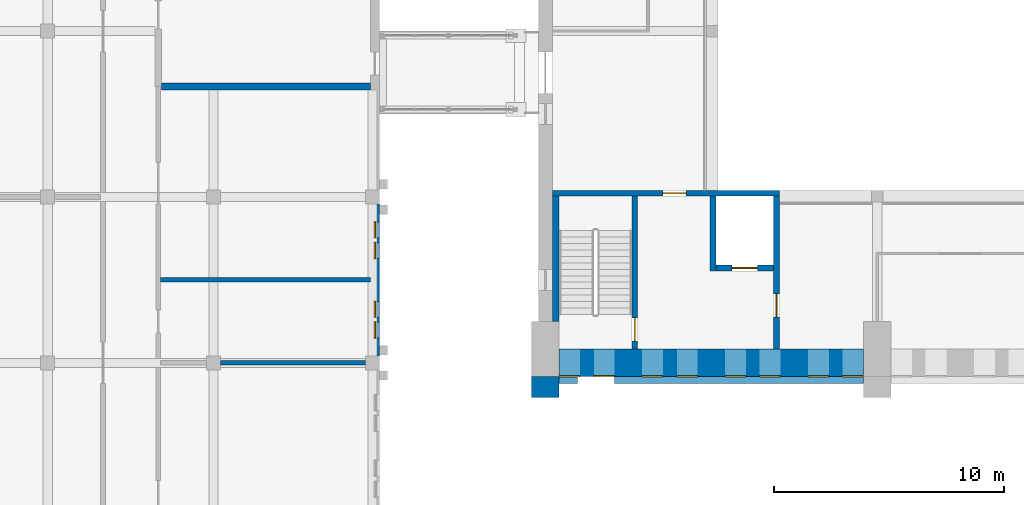
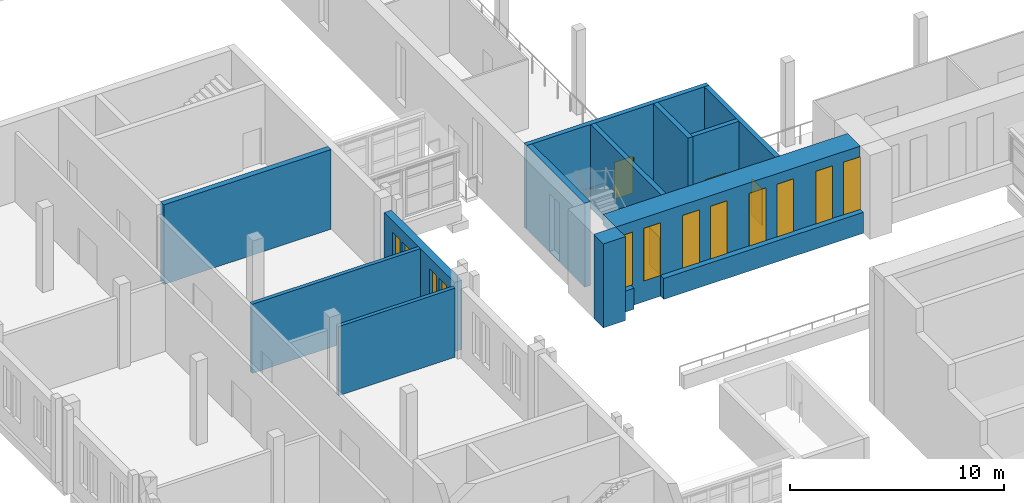
# One storey, part 77 of 131: 14 walls, 12 windows, 4 doors, 16 openings.
"""IFC4 building model written with IfcOpenShell, lengths in metres."""

import ifcopenshell
import ifcopenshell.guid

model = None  # the IFC model being written
_history = None  # IfcOwnerHistory: only IFC2X3 demands one
_inside = {}  # id of a spatial element -> (the spatial element, [elements in it])
_under = {}  # id of a project, library or spatial element -> (it, [spatial elements below it])
_declared = {}  # id of a project -> (the project, [libraries it declares])
_typed = {}  # id of a type object -> (the type object, [elements of that type])
_made_of = {}  # id of a material, layer set ... -> (it, [elements and type objects made of it])


def new_model(schema):
    """Start an empty IFC model of exactly this schema.

    Asked for "IFC4X3", IfcOpenShell would pick the latest addendum, in which some entities
    have other attributes; the version numbers below select the first issue.
    IFC2X3 requires an IfcOwnerHistory on every rooted entity: one is made here for all.
    """
    global model, _history
    if schema == "IFC4X3":
        model = ifcopenshell.file(schema_version=(4, 3, 0, 0))
    else:
        model = ifcopenshell.file(schema=schema)
    _inside.clear()
    _under.clear()
    _declared.clear()
    _typed.clear()
    _made_of.clear()
    _history = None
    if model.schema == "IFC2X3":
        org = make("IfcOrganization", Name="unknown")
        user = make(
            "IfcPersonAndOrganization",
            ThePerson=make("IfcPerson", FamilyName="unknown"),
            TheOrganization=org,
        )
        app = make(
            "IfcApplication",
            ApplicationDeveloper=org,
            Version="unknown",
            ApplicationFullName="unknown",
            ApplicationIdentifier="unknown",
        )
        _history = make(
            "IfcOwnerHistory",
            OwningUser=user,
            OwningApplication=app,
            ChangeAction="ADDED",
            CreationDate=0,
        )
    return model


def make(cls, **values):
    """One entity of the class cls with the attributes given. An attribute that is None is left unset."""
    return model.create_entity(
        cls, **{name: value for name, value in values.items() if value is not None}
    )


def rooted(cls, **values):
    """An entity with a GlobalId (a new one), such as an element, a storey or a relation."""
    return make(cls, GlobalId=ifcopenshell.guid.new(), OwnerHistory=_history, **values)


def si_unit(unit_type, name, prefix=None):
    """IfcSIUnit, for example si_unit("LENGTHUNIT", "METRE", prefix="MILLI")."""
    return make("IfcSIUnit", UnitType=unit_type, Prefix=prefix, Name=name)


def assignment(units):
    """IfcUnitAssignment: the units of a project."""
    return None if units is None else make("IfcUnitAssignment", Units=units)


def point(xyz):
    """IfcCartesianPoint."""
    return None if xyz is None else make("IfcCartesianPoint", Coordinates=xyz)


def direction(xyz):
    """IfcDirection."""
    return None if xyz is None else make("IfcDirection", DirectionRatios=xyz)


def frame(location, z_axis=None, x_axis=None):
    """IfcAxis2Placement3D, a coordinate frame: its origin and axes. An axis left out is left unset."""
    return make(
        "IfcAxis2Placement3D",
        Location=point(location),
        Axis=direction(z_axis),
        RefDirection=direction(x_axis),
    )


def frame_2d(location, x_axis=None):
    """IfcAxis2Placement2D, a coordinate frame in the plane: its origin and x axis."""
    return make(
        "IfcAxis2Placement2D", Location=point(location), RefDirection=direction(x_axis)
    )


def origin():
    """The frame at (0, 0, 0) with its axes left unset."""
    return frame((0.0, 0.0, 0.0))


def place(relative_to, where):
    """IfcLocalPlacement: puts the frame where relative to a parent placement (None: the world)."""
    return make(
        "IfcLocalPlacement", PlacementRelTo=relative_to, RelativePlacement=where
    )


def context(
    kind, dimensions, precision=None, world=None, true_north=None, identifier=None
):
    """IfcGeometricRepresentationContext, for example the 3D "Model" context."""
    return make(
        "IfcGeometricRepresentationContext",
        ContextIdentifier=identifier,
        ContextType=kind,
        CoordinateSpaceDimension=dimensions,
        Precision=precision,
        WorldCoordinateSystem=world,
        TrueNorth=true_north,
    )


def subcontext(parent, identifier, kind, view, scale=None):
    """IfcGeometricRepresentationSubContext, for example "Body" below "Model"."""
    return make(
        "IfcGeometricRepresentationSubContext",
        ContextIdentifier=identifier,
        ContextType=kind,
        ParentContext=parent,
        TargetScale=scale,
        TargetView=view,
    )


def project(units=None, contexts=None):
    """IfcProject with its units and contexts."""
    return rooted(
        "IfcProject",
        Name="project",
        RepresentationContexts=contexts,
        UnitsInContext=assignment(units),
    )


def spatial(cls, under=None, at=None, **own):
    """A site, building, storey or space (cls), placed at a placement, below another one or the project."""
    s = rooted(cls, ObjectPlacement=at, **own)
    if under is not None:
        _under.setdefault(under.id(), (under, []))[1].append(s)
    return s


def profile(cls, at=None, kind="AREA", **sizes):
    """A parametric profile (cls). Its sizes go by their IFC names, for example OverallWidth=200.0."""
    return make(cls, ProfileType=kind, Position=at, **sizes)


def rectangle(**sizes):
    """IfcRectangleProfileDef."""
    return profile("IfcRectangleProfileDef", **sizes)


def extrude(swept, where, along, depth):
    """IfcExtrudedAreaSolid: the profile swept, set in the frame where, extruded along a direction by depth."""
    return make(
        "IfcExtrudedAreaSolid",
        SweptArea=swept,
        Position=where,
        ExtrudedDirection=direction(along),
        Depth=depth,
    )


def shape(context_of_items, identifier, shape_type, items):
    """IfcShapeRepresentation: the items that make up one representation, for example the "Body"."""
    return make(
        "IfcShapeRepresentation",
        ContextOfItems=context_of_items,
        RepresentationIdentifier=identifier,
        RepresentationType=shape_type,
        Items=items,
    )


def material(Name=None, Category=None):
    """IfcMaterial."""
    return make("IfcMaterial", Name=Name, Category=Category)


def layer(
    of_material, thickness, ventilated=None, Name=None, Category=None, Priority=None
):
    """IfcMaterialLayer: one layer of a wall or slab, of a material (None: an air gap)."""
    return make(
        "IfcMaterialLayer",
        Material=of_material,
        LayerThickness=thickness,
        IsVentilated=ventilated,
        Name=Name,
        Category=Category,
        Priority=Priority,
    )


def layer_set(layers, Name=None):
    """IfcMaterialLayerSet."""
    return make("IfcMaterialLayerSet", MaterialLayers=layers, LayerSetName=Name)


def made_of(thing, what):
    """Note that an element or type object is made of a material, layer set ...; save() writes the relation."""
    if what is not None:
        _made_of.setdefault(what.id(), (what, []))[1].append(thing)
    return thing


def type_object(cls, material=None, **own):
    """A type object (cls), such as IfcWallType, which elements share."""
    return made_of(rooted(cls, **own), material)


def element(
    cls,
    number,
    at=None,
    inside=None,
    cuts=None,
    type_object=None,
    material=None,
    context=None,
    identifier="Body",
    shape_type=None,
    held_by="IfcProductDefinitionShape",
    body=None,
    shapes=None,
    **own,
):
    """One element of the class cls, such as IfcWall. Its Tag is "e" and its number.

    at: its placement. inside: the storey or other place that contains it. cuts: it is an
    opening in that element (IfcRelVoidsElement). A single representation is given by context,
    identifier, shape_type and body (its items); several are given by shapes. held_by: the class
    of the entity that holds the representations. save() writes the other relations.
    """
    e = rooted(cls, Tag="e%d" % number, ObjectPlacement=at, **own)
    if body is not None:
        shapes = [shape(context, identifier, shape_type, body)]
    if shapes is not None:
        e.Representation = make(held_by, Representations=shapes)
    if inside is not None:
        _inside.setdefault(inside.id(), (inside, []))[1].append(e)
    if cuts is not None:
        rooted(
            "IfcRelVoidsElement", RelatingBuildingElement=cuts, RelatedOpeningElement=e
        )
    if type_object is not None:
        _typed.setdefault(type_object.id(), (type_object, []))[1].append(e)
    return made_of(e, material)


def fill(opening, filler):
    """IfcRelFillsElement: the door or window that sits in an opening."""
    return rooted(
        "IfcRelFillsElement",
        RelatingOpeningElement=opening,
        RelatedBuildingElement=filler,
    )


def aggregate(whole, parts):
    """IfcRelAggregates: a whole, such as a stair, and the parts it consists of."""
    return rooted("IfcRelAggregates", RelatingObject=whole, RelatedObjects=parts)


def save(model, path):
    """Write the relations noted so far, then the file.

    IfcRelAggregates (storeys below a building ...), IfcRelContainedInSpatialStructure (elements
    in a storey), IfcRelDefinesByType, IfcRelAssociatesMaterial and IfcRelDeclares: one each for
    every whole, place, type object, material and project.
    """
    for whole, parts in _under.values():
        aggregate(whole, parts)
    for where, things in _inside.values():
        rooted(
            "IfcRelContainedInSpatialStructure",
            RelatedElements=things,
            RelatingStructure=where,
        )
    for kind, things in _typed.values():
        rooted("IfcRelDefinesByType", RelatedObjects=things, RelatingType=kind)
    for what, things in _made_of.values():
        rooted("IfcRelAssociatesMaterial", RelatedObjects=things, RelatingMaterial=what)
    for by, libraries in _declared.values():
        rooted("IfcRelDeclares", RelatingContext=by, RelatedDefinitions=libraries)
    model.write(path)


model = new_model("IFC4")

# Units and contexts
model_context = context("Model", 3, precision=1e-05, world=origin(), true_north=direction((0.0, 1.0)))
body_context = subcontext(model_context, "Body", "Model", "MODEL_VIEW")
ifc_project = project(units=[si_unit("LENGTHUNIT", "METRE"), si_unit("AREAUNIT", "SQUARE_METRE"), si_unit("VOLUMEUNIT", "CUBIC_METRE"), si_unit("PLANEANGLEUNIT", "RADIAN"), si_unit("MASSUNIT", "GRAM", prefix="KILO")], contexts=[model_context])

# Site, building, storey
site_placement = place(None, origin())
site = spatial("IfcSite", under=ifc_project, at=site_placement, CompositionType="ELEMENT")
building_placement = place(site_placement, origin())
building = spatial("IfcBuilding", under=site, at=building_placement, Name="Alderwick Market Hall", CompositionType="ELEMENT")
storey_placement = place(building_placement, frame((0.0, 0.0, 4.800048828125)))
storey = spatial("IfcBuildingStorey", under=building, at=storey_placement, Name="L00", CompositionType="ELEMENT", Elevation=4.800048828125)

# Wall, openings, windows
ifc_material_1 = material(Name="Face brick", Category="masonry")
ifc_layer_1 = layer(ifc_material_1, 0.39990234375)
ifc_layer_set_1 = layer_set([ifc_layer_1], Name="Face brick")
wall_type_1 = type_object("IfcWallType", Name="B Brick Cavity Wall 400", PredefinedType="SOLIDWALL", material=ifc_layer_set_1)
wall_1_placement = place(storey_placement, frame((43.0, 50.699951171875, 0.0), z_axis=(0.0, 0.0, 1.0), x_axis=(0.0, 1.0, 0.0)))
wall_1 = element("IfcWall", 1, at=wall_1_placement, inside=storey, type_object=wall_type_1, Name="B.S.wall.L00.031", PredefinedType="SOLIDWALL", context=body_context, shape_type="SweptSolid", body=[
    extrude(rectangle(XDim=6.60009765625, YDim=0.39990234375, at=frame_2d((3.300048828125, 0.0))), origin(), (0.0, 0.0, 1.0), 3.949951171875),
])
opening_1_placement = place(wall_1_placement, frame((0.77490234375, 0.0, 0.89990234375)))
opening_1 = element("IfcOpeningElement", 2, at=opening_1_placement, cuts=wall_1, Name="Opening B-W110", PredefinedType="OPENING", context=body_context, shape_type="SweptSolid", body=[
    extrude(rectangle(XDim=0.699951171875, YDim=2.39990234375, at=frame_2d((0.35009765625, 1.199951171875))), frame((0.0, 0.2099609375, 0.0), z_axis=(0.0, -1.0, 0.0), x_axis=(1.0, 0.0, 0.0)), (0.0, 0.0, 1.0), 0.419921875),
])
opening_2_placement = place(wall_1_placement, frame((1.675048828125, 0.0, 0.89990234375)))
opening_2 = element("IfcOpeningElement", 3, at=opening_2_placement, cuts=wall_1, Name="Opening B-W111", PredefinedType="OPENING", context=body_context, shape_type="SweptSolid", body=[
    extrude(rectangle(XDim=0.699951171875, YDim=2.39990234375, at=frame_2d((0.35009765625, 1.199951171875))), frame((0.0, 0.2099609375, 0.0), z_axis=(0.0, -1.0, 0.0), x_axis=(1.0, 0.0, 0.0)), (0.0, 0.0, 1.0), 0.419921875),
])
opening_3_placement = place(wall_1_placement, frame((4.22509765625, 0.0, 0.89990234375)))
opening_3 = element("IfcOpeningElement", 4, at=opening_3_placement, cuts=wall_1, Name="Opening B-W112", PredefinedType="OPENING", context=body_context, shape_type="SweptSolid", body=[
    extrude(rectangle(XDim=0.699951171875, YDim=2.39990234375, at=frame_2d((0.35009765625, 1.199951171875))), frame((0.0, 0.2099609375, 0.0), z_axis=(0.0, -1.0, 0.0), x_axis=(1.0, 0.0, 0.0)), (0.0, 0.0, 1.0), 0.419921875),
])
opening_4_placement = place(wall_1_placement, frame((5.125, 0.0, 0.89990234375)))
opening_4 = element("IfcOpeningElement", 5, at=opening_4_placement, cuts=wall_1, Name="Opening B-W113", PredefinedType="OPENING", context=body_context, shape_type="SweptSolid", body=[
    extrude(rectangle(XDim=0.699951171875, YDim=2.39990234375, at=frame_2d((0.35009765625, 1.199951171875))), frame((0.0, 0.2099609375, 0.0), z_axis=(0.0, -1.0, 0.0), x_axis=(1.0, 0.0, 0.0)), (0.0, 0.0, 1.0), 0.419921875),
])
ifc_material_2 = material(Name="Aluminium frame", Category="aluminium")
window_type_1 = type_object("IfcWindowType", Name="B Piano Nobile Window 700x2400", PartitioningType="SINGLE_PANEL", PredefinedType="WINDOW", material=ifc_material_2)
window_1_placement = place(opening_1_placement, origin())
window_1 = element("IfcWindow", 6, at=window_1_placement, inside=storey, type_object=window_type_1, Name="Window B-W110", OverallHeight=2.39990234375, OverallWidth=0.699951171875, PartitioningType="SINGLE_PANEL", PredefinedType="WINDOW", context=body_context, shape_type="SweptSolid", body=[
    extrude(rectangle(XDim=0.699951171875, YDim=2.39990234375, at=frame_2d((0.35009765625, 1.199951171875))), frame((0.0, 0.030029296875, 0.0), z_axis=(0.0, -1.0, 0.0), x_axis=(1.0, 0.0, 0.0)), (0.0, 0.0, 1.0), 0.06005859375),
])
fill(opening_1, window_1)
window_2_placement = place(opening_2_placement, origin())
window_2 = element("IfcWindow", 7, at=window_2_placement, inside=storey, type_object=window_type_1, Name="Window B-W111", OverallHeight=2.39990234375, OverallWidth=0.699951171875, PartitioningType="SINGLE_PANEL", PredefinedType="WINDOW", context=body_context, shape_type="SweptSolid", body=[
    extrude(rectangle(XDim=0.699951171875, YDim=2.39990234375, at=frame_2d((0.35009765625, 1.199951171875))), frame((0.0, 0.030029296875, 0.0), z_axis=(0.0, -1.0, 0.0), x_axis=(1.0, 0.0, 0.0)), (0.0, 0.0, 1.0), 0.06005859375),
])
fill(opening_2, window_2)
window_3_placement = place(opening_3_placement, origin())
window_3 = element("IfcWindow", 8, at=window_3_placement, inside=storey, type_object=window_type_1, Name="Window B-W112", OverallHeight=2.39990234375, OverallWidth=0.699951171875, PartitioningType="SINGLE_PANEL", PredefinedType="WINDOW", context=body_context, shape_type="SweptSolid", body=[
    extrude(rectangle(XDim=0.699951171875, YDim=2.39990234375, at=frame_2d((0.35009765625, 1.199951171875))), frame((0.0, 0.030029296875, 0.0), z_axis=(0.0, -1.0, 0.0), x_axis=(1.0, 0.0, 0.0)), (0.0, 0.0, 1.0), 0.06005859375),
])
fill(opening_3, window_3)
window_4_placement = place(opening_4_placement, origin())
window_4 = element("IfcWindow", 9, at=window_4_placement, inside=storey, type_object=window_type_1, Name="Window B-W113", OverallHeight=2.39990234375, OverallWidth=0.699951171875, PartitioningType="SINGLE_PANEL", PredefinedType="WINDOW", context=body_context, shape_type="SweptSolid", body=[
    extrude(rectangle(XDim=0.699951171875, YDim=2.39990234375, at=frame_2d((0.35009765625, 1.199951171875))), frame((0.0, 0.030029296875, 0.0), z_axis=(0.0, -1.0, 0.0), x_axis=(1.0, 0.0, 0.0)), (0.0, 0.0, 1.0), 0.06005859375),
])
fill(opening_4, window_4)

# Walls
ifc_material_3 = material(Name="Concrete masonry 3000 psi", Category="masonry")
ifc_layer_2 = layer(ifc_material_3, 0.199951171875)
ifc_layer_set_2 = layer_set([ifc_layer_2], Name="Concrete masonry 3000 psi")
wall_type_2 = type_object("IfcWallType", Name="B Masonry Partition 200", PredefinedType="PARTITIONING", material=ifc_layer_set_2)
wall_2_placement = place(storey_placement, frame((36.300048828125, 50.39990234375, 0.0), z_axis=(0.0, 0.0, 1.0), x_axis=(1.0, 0.0, 0.0)))
element("IfcWall", 10, at=wall_2_placement, inside=storey, type_object=wall_type_2, Name="B.S.wall.L00.008", PredefinedType="PARTITIONING", context=body_context, shape_type="SweptSolid", body=[
    extrude(rectangle(XDim=6.300048828125, YDim=0.199951171875, at=frame_2d((3.14990234375, 0.0))), origin(), (0.0, 0.0, 1.0), 3.949951171875),
])
wall_3_placement = place(storey_placement, frame((33.699951171875, 54.0, 0.0), z_axis=(0.0, 0.0, 1.0), x_axis=(1.0, 0.0, 0.0)))
element("IfcWall", 11, at=wall_3_placement, inside=storey, type_object=wall_type_2, Name="B.S.wall.L00.009", PredefinedType="PARTITIONING", context=body_context, shape_type="SweptSolid", body=[
    extrude(rectangle(XDim=9.10009765625, YDim=0.199951171875, at=frame_2d((4.550048828125, 0.0))), origin(), (0.0, 0.0, 1.0), 3.949951171875),
])
ifc_material_4 = material(Name="Concrete 5000 psi (f'c 35 MPa)", Category="concrete")
ifc_layer_3 = layer(ifc_material_4, 0.300048828125)
ifc_layer_set_3 = layer_set([ifc_layer_3], Name="Concrete 5000 psi (f'c 35 MPa)")
wall_type_3 = type_object("IfcWallType", Name="B RC Core Wall 300", PredefinedType="SHEAR", material=ifc_layer_set_3)
wall_4_placement = place(storey_placement, frame((33.75, 62.39990234375, 0.0), z_axis=(0.0, 0.0, 1.0), x_axis=(1.0, 0.0, 0.0)))
element("IfcWall", 12, at=wall_4_placement, inside=storey, type_object=wall_type_3, Name="B.S.wall.L00.012", PredefinedType="SHEAR", context=body_context, shape_type="SweptSolid", body=[
    extrude(rectangle(XDim=9.050048828125, YDim=0.300048828125, at=frame_2d((4.52490234375, 0.0))), origin(), (0.0, 0.0, 1.0), 4.550048828125),
])
ifc_material_5 = material(Name="Cast stone 5000 psi (f'c 35 MPa), ASTM C1364", Category="masonry")
ifc_layer_4 = layer(ifc_material_5, 0.300048828125)
ifc_layer_set_4 = layer_set([ifc_layer_4], Name="Cast stone 5000 psi (f'c 35 MPa), ASTM C1364")
wall_type_4 = type_object("IfcWallType", Name="H Base course 300", PredefinedType="SOLIDWALL", material=ifc_layer_set_4)
wall_5_placement = place(storey_placement, frame((51.0, 49.64990234375, 0.0), z_axis=(0.0, 0.0, 1.0), x_axis=(1.0, 0.0, 0.0)))
element("IfcWall", 13, at=wall_5_placement, inside=storey, type_object=wall_type_4, Name="Base course S1", PredefinedType="SOLIDWALL", context=body_context, shape_type="SweptSolid", body=[
    extrude(rectangle(XDim=0.800048828125, YDim=0.300048828125, at=frame_2d((0.39990234375, 0.0))), origin(), (0.0, 0.0, 1.0), 1.199951171875),
])
wall_6_placement = place(storey_placement, frame((53.39990234375, 49.64990234375, 0.0), z_axis=(0.0, 0.0, 1.0), x_axis=(1.0, 0.0, 0.0)))
element("IfcWall", 14, at=wall_6_placement, inside=storey, type_object=wall_type_4, Name="Base course S1", PredefinedType="SOLIDWALL", context=body_context, shape_type="SweptSolid", body=[
    extrude(rectangle(XDim=10.800048828125, YDim=0.300048828125, at=frame_2d((5.39990234375, 0.0))), origin(), (0.0, 0.0, 1.0), 1.199951171875),
])
ifc_material_6 = material(Name="Face brick masonry, ASTM C216 grade SW (f'm 17 MPa)", Category="masonry")
ifc_layer_5 = layer(ifc_material_6, 0.89990234375)
ifc_layer_set_5 = layer_set([ifc_layer_5], Name="Face brick masonry, ASTM C216 grade SW (f'm 17 MPa)")
wall_type_5 = type_object("IfcWallType", Name="H Buttress pier 900", PredefinedType="SOLIDWALL", material=ifc_layer_set_5)
wall_7_placement = place(storey_placement, frame((49.800048828125, 49.35009765625, 0.0), z_axis=(0.0, 0.0, 1.0), x_axis=(1.0, 0.0, 0.0)))
element("IfcWall", 15, at=wall_7_placement, inside=storey, type_object=wall_type_5, Name="Buttress pier S1", PredefinedType="SOLIDWALL", context=body_context, shape_type="SweptSolid", body=[
    extrude(rectangle(XDim=1.199951171875, YDim=0.89990234375, at=frame_2d((0.60009765625, 0.0))), origin(), (0.0, 0.0, 1.0), 4.800048828125),
])

# Wall, opening, door
ifc_layer_6 = layer(ifc_material_4, 0.25)
ifc_layer_set_6 = layer_set([ifc_layer_6], Name="Concrete 5000 psi (f'c 35 MPa)")
wall_type_6 = type_object("IfcWallType", Name="H Core wall 250", PredefinedType="SOLIDWALL", material=ifc_layer_set_6)
wall_8_placement = place(storey_placement, frame((50.699951171875, 57.764892578125, 0.0), z_axis=(0.0, 0.0, 1.0), x_axis=(1.0, 0.0, 0.0)))
wall_8 = element("IfcWall", 16, at=wall_8_placement, inside=storey, type_object=wall_type_6, Name="Core wall H-SW", PredefinedType="SOLIDWALL", context=body_context, shape_type="SweptSolid", body=[
    extrude(rectangle(XDim=9.85009765625, YDim=0.25, at=frame_2d((4.925048828125, 0.0))), origin(), (0.0, 0.0, 1.0), 4.800048828125),
])
opening_5_placement = place(wall_8_placement, frame((4.800048828125, 0.0, 0.0)))
opening_5 = element("IfcOpeningElement", 17, at=opening_5_placement, cuts=wall_8, Name="Opening H-D021", PredefinedType="OPENING", context=body_context, shape_type="SweptSolid", body=[
    extrude(rectangle(XDim=1.0, YDim=2.10009765625, at=frame_2d((0.5, 1.050048828125))), frame((0.0, 0.135009765625, 0.0), z_axis=(0.0, -1.0, 0.0), x_axis=(1.0, 0.0, 0.0)), (0.0, 0.0, 1.0), 0.27001953125),
])
ifc_material_7 = material(Name="Steel, fire-rated", Category="steel")
door_type_1 = type_object("IfcDoorType", Name="H Stair door FD90 1000x2100", OperationType="SINGLE_SWING_LEFT", PredefinedType="DOOR", material=ifc_material_7)
door_1_placement = place(opening_5_placement, origin())
door_1 = element("IfcDoor", 18, at=door_1_placement, inside=storey, type_object=door_type_1, Name="Door H-D021", OperationType="SINGLE_SWING_LEFT", OverallHeight=2.10009765625, OverallWidth=1.0, PredefinedType="DOOR", context=body_context, shape_type="SweptSolid", body=[
    extrude(rectangle(XDim=1.0, YDim=2.10009765625, at=frame_2d((0.5, 1.050048828125))), frame((0.0, 0.02490234375, 0.0), z_axis=(0.0, -1.0, 0.0), x_axis=(1.0, 0.0, 0.0)), (0.0, 0.0, 1.0), 0.050048828125),
])
fill(opening_5, door_1)

wall_9_placement = place(storey_placement, frame((60.425048828125, 51.0, 0.0), z_axis=(0.0, 0.0, 1.0), x_axis=(0.0, 1.0, 0.0)))
wall_9 = element("IfcWall", 19, at=wall_9_placement, inside=storey, type_object=wall_type_6, Name="Core wall H-SW", PredefinedType="SOLIDWALL", context=body_context, shape_type="SweptSolid", body=[
    extrude(rectangle(XDim=6.639892578125, YDim=0.25, at=frame_2d((3.31982421875, 0.0))), origin(), (0.0, 0.0, 1.0), 4.800048828125),
])
opening_6_placement = place(wall_9_placement, frame((1.39990234375, 0.0, 0.0)))
opening_6 = element("IfcOpeningElement", 20, at=opening_6_placement, cuts=wall_9, Name="Opening H-D020", PredefinedType="OPENING", context=body_context, shape_type="SweptSolid", body=[
    extrude(rectangle(XDim=1.0, YDim=2.10009765625, at=frame_2d((0.5, 1.050048828125))), frame((0.0, 0.135009765625, 0.0), z_axis=(0.0, -1.0, 0.0), x_axis=(1.0, 0.0, 0.0)), (0.0, 0.0, 1.0), 0.27001953125),
])
door_2_placement = place(opening_6_placement, origin())
door_2 = element("IfcDoor", 21, at=door_2_placement, inside=storey, type_object=door_type_1, Name="Door H-D020", OperationType="SINGLE_SWING_LEFT", OverallHeight=2.10009765625, OverallWidth=1.0, PredefinedType="DOOR", context=body_context, shape_type="SweptSolid", body=[
    extrude(rectangle(XDim=1.0, YDim=2.10009765625, at=frame_2d((0.5, 1.050048828125))), frame((0.0, 0.02490234375, 0.0), z_axis=(0.0, -1.0, 0.0), x_axis=(1.0, 0.0, 0.0)), (0.0, 0.0, 1.0), 0.050048828125),
])
fill(opening_6, door_2)

wall_10_placement = place(storey_placement, frame((54.27490234375, 51.0, 0.0), z_axis=(0.0, 0.0, 1.0), x_axis=(0.0, 1.0, 0.0)))
wall_10 = element("IfcWall", 22, at=wall_10_placement, inside=storey, type_object=wall_type_6, Name="Core wall H-SW", PredefinedType="SOLIDWALL", context=body_context, shape_type="SweptSolid", body=[
    extrude(rectangle(XDim=6.639892578125, YDim=0.25, at=frame_2d((3.31982421875, 0.0))), origin(), (0.0, 0.0, 1.0), 4.800048828125),
])
opening_7_placement = place(wall_10_placement, frame((0.35009765625, 0.0, 0.0)))
opening_7 = element("IfcOpeningElement", 23, at=opening_7_placement, cuts=wall_10, Name="Opening H-D019", PredefinedType="OPENING", context=body_context, shape_type="SweptSolid", body=[
    extrude(rectangle(XDim=1.0, YDim=2.10009765625, at=frame_2d((0.5, 1.050048828125))), frame((0.0, 0.135009765625, 0.0), z_axis=(0.0, -1.0, 0.0), x_axis=(1.0, 0.0, 0.0)), (0.0, 0.0, 1.0), 0.27001953125),
])
door_3_placement = place(opening_7_placement, origin())
door_3 = element("IfcDoor", 24, at=door_3_placement, inside=storey, type_object=door_type_1, Name="Door H-D019", OperationType="SINGLE_SWING_LEFT", OverallHeight=2.10009765625, OverallWidth=1.0, PredefinedType="DOOR", context=body_context, shape_type="SweptSolid", body=[
    extrude(rectangle(XDim=1.0, YDim=2.10009765625, at=frame_2d((0.5, 1.050048828125))), frame((0.0, 0.02490234375, 0.0), z_axis=(0.0, -1.0, 0.0), x_axis=(1.0, 0.0, 0.0)), (0.0, 0.0, 1.0), 0.050048828125),
])
fill(opening_7, door_3)

# Wall
wall_11_placement = place(storey_placement, frame((57.675048828125, 54.389892578125, 0.0), z_axis=(0.0, 0.0, 1.0), x_axis=(0.0, 1.0, 0.0)))
element("IfcWall", 25, at=wall_11_placement, inside=storey, type_object=wall_type_6, Name="Core wall H-SW", PredefinedType="SOLIDWALL", context=body_context, shape_type="SweptSolid", body=[
    extrude(rectangle(XDim=3.25, YDim=0.25, at=frame_2d((1.625, 0.0))), origin(), (0.0, 0.0, 1.0), 4.800048828125),
])

# Wall, opening, door
wall_12_placement = place(storey_placement, frame((57.800048828125, 54.514892578125, 0.0), z_axis=(0.0, 0.0, 1.0), x_axis=(1.0, 0.0, 0.0)))
wall_12 = element("IfcWall", 26, at=wall_12_placement, inside=storey, type_object=wall_type_6, Name="Core wall H-SW", PredefinedType="SOLIDWALL", context=body_context, shape_type="SweptSolid", body=[
    extrude(rectangle(XDim=2.5, YDim=0.25, at=frame_2d((1.25, 0.0))), origin(), (0.0, 0.0, 1.0), 4.800048828125),
])
opening_8_placement = place(wall_12_placement, frame((0.699951171875, 0.0, 0.0)))
opening_8 = element("IfcOpeningElement", 27, at=opening_8_placement, cuts=wall_12, Name="Opening H-LD02", PredefinedType="OPENING", context=body_context, shape_type="SweptSolid", body=[
    extrude(rectangle(XDim=1.10009765625, YDim=2.10009765625, at=frame_2d((0.550048828125, 1.050048828125))), frame((0.0, 0.135009765625, 0.0), z_axis=(0.0, -1.0, 0.0), x_axis=(1.0, 0.0, 0.0)), (0.0, 0.0, 1.0), 0.27001953125),
])
ifc_material_8 = material(Name="Stainless steel", Category="steel")
door_type_2 = type_object("IfcDoorType", Name="H Lift landing door 1100x2100", OperationType="SLIDING_TO_LEFT", PredefinedType="DOOR", material=ifc_material_8)
door_4_placement = place(opening_8_placement, origin())
door_4 = element("IfcDoor", 28, at=door_4_placement, inside=storey, type_object=door_type_2, Name="Landing door H-LD02", OperationType="SLIDING_TO_LEFT", OverallHeight=2.10009765625, OverallWidth=1.10009765625, PredefinedType="DOOR", context=body_context, shape_type="SweptSolid", body=[
    extrude(rectangle(XDim=1.10009765625, YDim=2.10009765625, at=frame_2d((0.550048828125, 1.050048828125))), frame((0.0, 0.02490234375, 0.0), z_axis=(0.0, -1.0, 0.0), x_axis=(1.0, 0.0, 0.0)), (0.0, 0.0, 1.0), 0.050048828125),
])
fill(opening_8, door_4)

# Wall, openings, windows
ifc_layer_7 = layer(ifc_material_4, 1.199951171875)
ifc_layer_set_7 = layer_set([ifc_layer_7], Name="Concrete 5000 psi (f'c 35 MPa)")
wall_type_7 = type_object("IfcWallType", Name="H Long wall 1200", PredefinedType="SOLIDWALL", material=ifc_layer_set_7)
wall_13_placement = place(storey_placement, frame((51.0, 50.39990234375, 0.0), z_axis=(0.0, 0.0, 1.0), x_axis=(1.0, 0.0, 0.0)))
wall_13 = element("IfcWall", 29, at=wall_13_placement, inside=storey, type_object=wall_type_7, Name="Long wall S L00 1", PredefinedType="SOLIDWALL", context=body_context, shape_type="SweptSolid", body=[
    extrude(rectangle(XDim=13.199951171875, YDim=1.199951171875, at=frame_2d((6.60009765625, 0.0))), origin(), (0.0, 0.0, 1.0), 4.800048828125),
])
opening_9_placement = place(wall_13_placement, frame((0.0, 0.0, 1.199951171875)))
opening_9 = element("IfcOpeningElement", 30, at=opening_9_placement, cuts=wall_13, Name="Opening H-W001", PredefinedType="OPENING", context=body_context, shape_type="SweptSolid", body=[
    extrude(rectangle(XDim=0.89990234375, YDim=3.0, at=frame_2d((0.449951171875, 1.5))), frame((0.0, 0.60986328125, 0.0), z_axis=(0.0, -1.0, 0.0), x_axis=(1.0, 0.0, 0.0)), (0.0, 0.0, 1.0), 1.219970703125),
])
opening_10_placement = place(wall_13_placement, frame((1.5, 0.0, 1.199951171875)))
opening_10 = element("IfcOpeningElement", 31, at=opening_10_placement, cuts=wall_13, Name="Opening H-W002", PredefinedType="OPENING", context=body_context, shape_type="SweptSolid", body=[
    extrude(rectangle(XDim=0.89990234375, YDim=3.0, at=frame_2d((0.449951171875, 1.5))), frame((0.0, 0.60986328125, 0.0), z_axis=(0.0, -1.0, 0.0), x_axis=(1.0, 0.0, 0.0)), (0.0, 0.0, 1.0), 1.219970703125),
])
opening_11_placement = place(wall_13_placement, frame((3.60009765625, 0.0, 1.199951171875)))
opening_11 = element("IfcOpeningElement", 32, at=opening_11_placement, cuts=wall_13, Name="Opening H-W003", PredefinedType="OPENING", context=body_context, shape_type="SweptSolid", body=[
    extrude(rectangle(XDim=0.89990234375, YDim=3.0, at=frame_2d((0.449951171875, 1.5))), frame((0.0, 0.60986328125, 0.0), z_axis=(0.0, -1.0, 0.0), x_axis=(1.0, 0.0, 0.0)), (0.0, 0.0, 1.0), 1.219970703125),
])
opening_12_placement = place(wall_13_placement, frame((5.10009765625, 0.0, 1.199951171875)))
opening_12 = element("IfcOpeningElement", 33, at=opening_12_placement, cuts=wall_13, Name="Opening H-W004", PredefinedType="OPENING", context=body_context, shape_type="SweptSolid", body=[
    extrude(rectangle(XDim=0.89990234375, YDim=3.0, at=frame_2d((0.449951171875, 1.5))), frame((0.0, 0.60986328125, 0.0), z_axis=(0.0, -1.0, 0.0), x_axis=(1.0, 0.0, 0.0)), (0.0, 0.0, 1.0), 1.219970703125),
])
opening_13_placement = place(wall_13_placement, frame((7.199951171875, 0.0, 1.199951171875)))
opening_13 = element("IfcOpeningElement", 34, at=opening_13_placement, cuts=wall_13, Name="Opening H-W005", PredefinedType="OPENING", context=body_context, shape_type="SweptSolid", body=[
    extrude(rectangle(XDim=0.89990234375, YDim=3.0, at=frame_2d((0.449951171875, 1.5))), frame((0.0, 0.60986328125, 0.0), z_axis=(0.0, -1.0, 0.0), x_axis=(1.0, 0.0, 0.0)), (0.0, 0.0, 1.0), 1.219970703125),
])
opening_14_placement = place(wall_13_placement, frame((8.699951171875, 0.0, 1.199951171875)))
opening_14 = element("IfcOpeningElement", 35, at=opening_14_placement, cuts=wall_13, Name="Opening H-W006", PredefinedType="OPENING", context=body_context, shape_type="SweptSolid", body=[
    extrude(rectangle(XDim=0.89990234375, YDim=3.0, at=frame_2d((0.449951171875, 1.5))), frame((0.0, 0.60986328125, 0.0), z_axis=(0.0, -1.0, 0.0), x_axis=(1.0, 0.0, 0.0)), (0.0, 0.0, 1.0), 1.219970703125),
])
opening_15_placement = place(wall_13_placement, frame((10.800048828125, 0.0, 1.199951171875)))
opening_15 = element("IfcOpeningElement", 36, at=opening_15_placement, cuts=wall_13, Name="Opening H-W007", PredefinedType="OPENING", context=body_context, shape_type="SweptSolid", body=[
    extrude(rectangle(XDim=0.89990234375, YDim=3.0, at=frame_2d((0.449951171875, 1.5))), frame((0.0, 0.60986328125, 0.0), z_axis=(0.0, -1.0, 0.0), x_axis=(1.0, 0.0, 0.0)), (0.0, 0.0, 1.0), 1.219970703125),
])
opening_16_placement = place(wall_13_placement, frame((12.300048828125, 0.0, 1.199951171875)))
opening_16 = element("IfcOpeningElement", 37, at=opening_16_placement, cuts=wall_13, Name="Opening H-W008", PredefinedType="OPENING", context=body_context, shape_type="SweptSolid", body=[
    extrude(rectangle(XDim=0.89990234375, YDim=3.0, at=frame_2d((0.449951171875, 1.5))), frame((0.0, 0.60986328125, 0.0), z_axis=(0.0, -1.0, 0.0), x_axis=(1.0, 0.0, 0.0)), (0.0, 0.0, 1.0), 1.219970703125),
])
ifc_material_9 = material(Name="Aluminium frame with insulated glass", Category="aluminium")
window_type_2 = type_object("IfcWindowType", Name="H Window 900x3000", PartitioningType="SINGLE_PANEL", PredefinedType="WINDOW", material=ifc_material_9)
window_5_placement = place(opening_9_placement, origin())
window_5 = element("IfcWindow", 38, at=window_5_placement, inside=storey, type_object=window_type_2, Name="Window H-W001", OverallHeight=3.0, OverallWidth=0.89990234375, PartitioningType="SINGLE_PANEL", PredefinedType="WINDOW", context=body_context, shape_type="SweptSolid", body=[
    extrude(rectangle(XDim=0.89990234375, YDim=3.0, at=frame_2d((0.449951171875, 1.5))), frame((0.0, -0.550048828125, 0.0), z_axis=(0.0, -1.0, 0.0), x_axis=(1.0, 0.0, 0.0)), (0.0, 0.0, 1.0), 0.06005859375),
])
fill(opening_9, window_5)
window_6_placement = place(opening_10_placement, origin())
window_6 = element("IfcWindow", 39, at=window_6_placement, inside=storey, type_object=window_type_2, Name="Window H-W002", OverallHeight=3.0, OverallWidth=0.89990234375, PartitioningType="SINGLE_PANEL", PredefinedType="WINDOW", context=body_context, shape_type="SweptSolid", body=[
    extrude(rectangle(XDim=0.89990234375, YDim=3.0, at=frame_2d((0.449951171875, 1.5))), frame((0.0, -0.550048828125, 0.0), z_axis=(0.0, -1.0, 0.0), x_axis=(1.0, 0.0, 0.0)), (0.0, 0.0, 1.0), 0.06005859375),
])
fill(opening_10, window_6)
window_7_placement = place(opening_11_placement, origin())
window_7 = element("IfcWindow", 40, at=window_7_placement, inside=storey, type_object=window_type_2, Name="Window H-W003", OverallHeight=3.0, OverallWidth=0.89990234375, PartitioningType="SINGLE_PANEL", PredefinedType="WINDOW", context=body_context, shape_type="SweptSolid", body=[
    extrude(rectangle(XDim=0.89990234375, YDim=3.0, at=frame_2d((0.449951171875, 1.5))), frame((0.0, -0.550048828125, 0.0), z_axis=(0.0, -1.0, 0.0), x_axis=(1.0, 0.0, 0.0)), (0.0, 0.0, 1.0), 0.06005859375),
])
fill(opening_11, window_7)
window_8_placement = place(opening_12_placement, origin())
window_8 = element("IfcWindow", 41, at=window_8_placement, inside=storey, type_object=window_type_2, Name="Window H-W004", OverallHeight=3.0, OverallWidth=0.89990234375, PartitioningType="SINGLE_PANEL", PredefinedType="WINDOW", context=body_context, shape_type="SweptSolid", body=[
    extrude(rectangle(XDim=0.89990234375, YDim=3.0, at=frame_2d((0.449951171875, 1.5))), frame((0.0, -0.550048828125, 0.0), z_axis=(0.0, -1.0, 0.0), x_axis=(1.0, 0.0, 0.0)), (0.0, 0.0, 1.0), 0.06005859375),
])
fill(opening_12, window_8)
window_9_placement = place(opening_13_placement, origin())
window_9 = element("IfcWindow", 42, at=window_9_placement, inside=storey, type_object=window_type_2, Name="Window H-W005", OverallHeight=3.0, OverallWidth=0.89990234375, PartitioningType="SINGLE_PANEL", PredefinedType="WINDOW", context=body_context, shape_type="SweptSolid", body=[
    extrude(rectangle(XDim=0.89990234375, YDim=3.0, at=frame_2d((0.449951171875, 1.5))), frame((0.0, -0.550048828125, 0.0), z_axis=(0.0, -1.0, 0.0), x_axis=(1.0, 0.0, 0.0)), (0.0, 0.0, 1.0), 0.06005859375),
])
fill(opening_13, window_9)
window_10_placement = place(opening_14_placement, origin())
window_10 = element("IfcWindow", 43, at=window_10_placement, inside=storey, type_object=window_type_2, Name="Window H-W006", OverallHeight=3.0, OverallWidth=0.89990234375, PartitioningType="SINGLE_PANEL", PredefinedType="WINDOW", context=body_context, shape_type="SweptSolid", body=[
    extrude(rectangle(XDim=0.89990234375, YDim=3.0, at=frame_2d((0.449951171875, 1.5))), frame((0.0, -0.550048828125, 0.0), z_axis=(0.0, -1.0, 0.0), x_axis=(1.0, 0.0, 0.0)), (0.0, 0.0, 1.0), 0.06005859375),
])
fill(opening_14, window_10)
window_11_placement = place(opening_15_placement, origin())
window_11 = element("IfcWindow", 44, at=window_11_placement, inside=storey, type_object=window_type_2, Name="Window H-W007", OverallHeight=3.0, OverallWidth=0.89990234375, PartitioningType="SINGLE_PANEL", PredefinedType="WINDOW", context=body_context, shape_type="SweptSolid", body=[
    extrude(rectangle(XDim=0.89990234375, YDim=3.0, at=frame_2d((0.449951171875, 1.5))), frame((0.0, -0.550048828125, 0.0), z_axis=(0.0, -1.0, 0.0), x_axis=(1.0, 0.0, 0.0)), (0.0, 0.0, 1.0), 0.06005859375),
])
fill(opening_15, window_11)
window_12_placement = place(opening_16_placement, origin())
window_12 = element("IfcWindow", 45, at=window_12_placement, inside=storey, type_object=window_type_2, Name="Window H-W008", OverallHeight=3.0, OverallWidth=0.89990234375, PartitioningType="SINGLE_PANEL", PredefinedType="WINDOW", context=body_context, shape_type="SweptSolid", body=[
    extrude(rectangle(XDim=0.89990234375, YDim=3.0, at=frame_2d((0.449951171875, 1.5))), frame((0.0, -0.550048828125, 0.0), z_axis=(0.0, -1.0, 0.0), x_axis=(1.0, 0.0, 0.0)), (0.0, 0.0, 1.0), 0.06005859375),
])
fill(opening_16, window_12)

# Wall
ifc_layer_8 = layer(ifc_material_4, 0.300048828125)
ifc_layer_set_8 = layer_set([ifc_layer_8], Name="Concrete 5000 psi (f'c 35 MPa)")
wall_type_8 = type_object("IfcWallType", Name="H Stair furring wall 300", PredefinedType="SOLIDWALL", material=ifc_layer_set_8)
wall_14_placement = place(storey_placement, frame((50.85009765625, 52.199951171875, 0.0), z_axis=(0.0, 0.0, 1.0), x_axis=(0.0, 1.0, 0.0)))
element("IfcWall", 46, at=wall_14_placement, inside=storey, type_object=wall_type_8, Name="Core wall H-SW", PredefinedType="SOLIDWALL", context=body_context, shape_type="SweptSolid", body=[
    extrude(rectangle(XDim=5.43994140625, YDim=0.300048828125, at=frame_2d((2.719970703125, 0.0))), origin(), (0.0, 0.0, 1.0), 4.800048828125),
])

save(model, "model.ifc")
